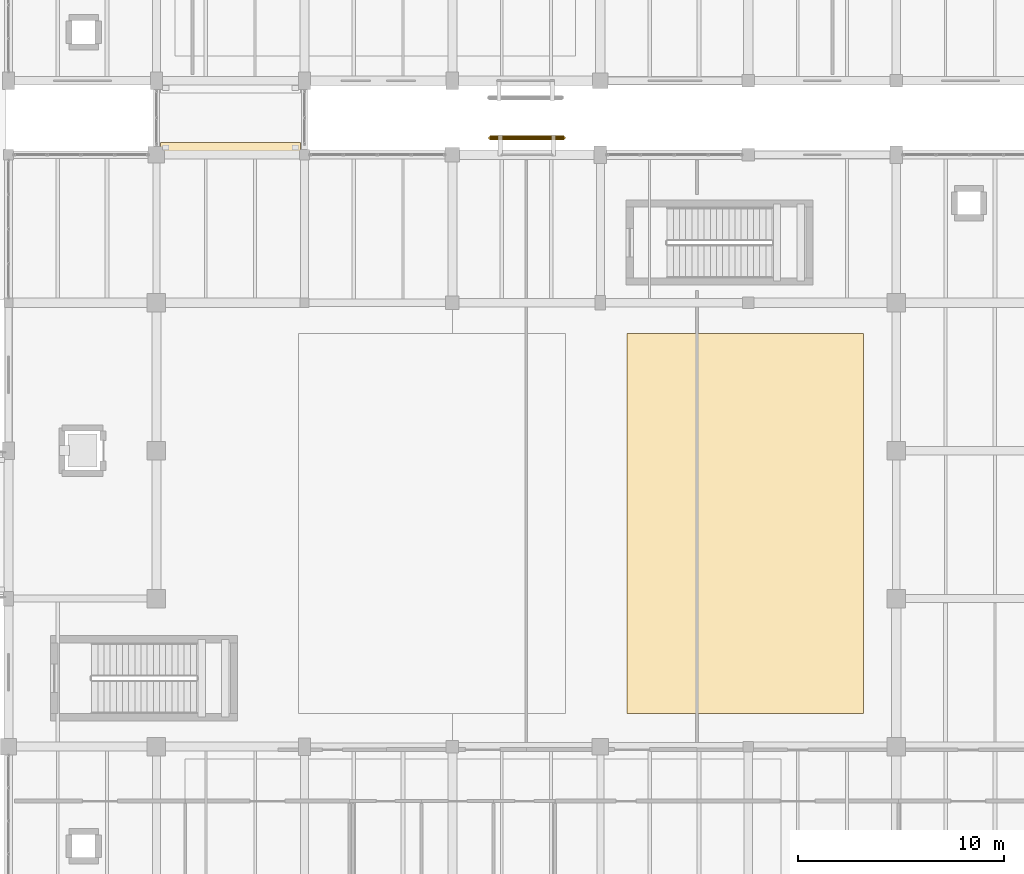
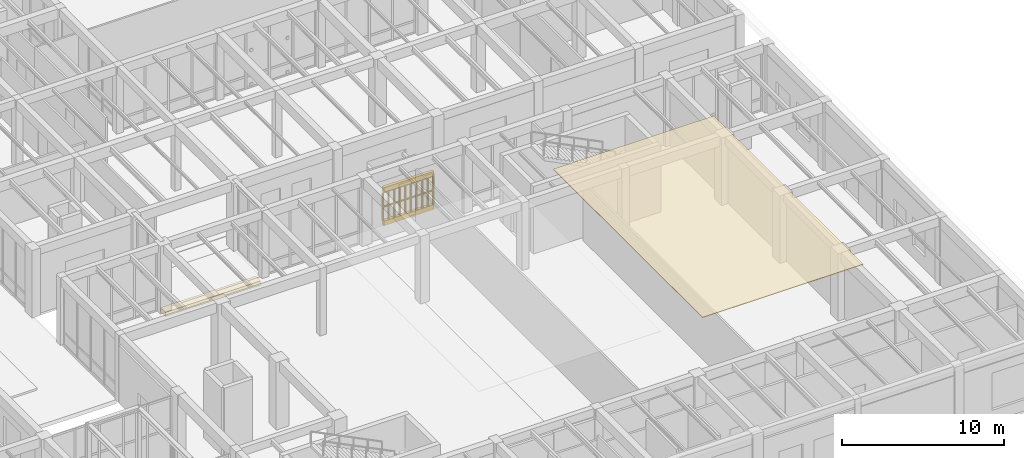
# One storey, part 161 of 169: 4 coverings, 2 railings.
"""IFC4 building model written with IfcOpenShell, lengths in metres."""

from ifc_helpers import new_model, si_unit, direction, frame, origin, origin_2d, place, context, subcontext, project, spatial, polyline, circle, outline, extrude, material, layer, layer_set, type_object, element, save


model = new_model("IFC4")

# Units and contexts
model_context = context("Model", 3, precision=1e-05, world=origin(), true_north=direction((0.0, 1.0)))
body_context = subcontext(model_context, "Body", "Model", "MODEL_VIEW")
ifc_project = project(units=[si_unit("LENGTHUNIT", "METRE"), si_unit("AREAUNIT", "SQUARE_METRE"), si_unit("VOLUMEUNIT", "CUBIC_METRE"), si_unit("PLANEANGLEUNIT", "RADIAN"), si_unit("MASSUNIT", "GRAM", prefix="KILO")], contexts=[model_context])

# Site, building, storey
site_placement = place(None, origin())
site = spatial("IfcSite", under=ifc_project, at=site_placement, CompositionType="ELEMENT")
building_placement = place(site_placement, origin())
building = spatial("IfcBuilding", under=site, at=building_placement, Name="Mazaris Harbour Polytechnic", CompositionType="ELEMENT")
storey_placement = place(building_placement, origin())
storey = spatial("IfcBuildingStorey", under=building, at=storey_placement, Name="L00", CompositionType="ELEMENT", Elevation=0.0)

# Coverings
ifc_material_1 = material(Name="Glulam Acoustic Timber Slat", Category="wood")
ifc_layer_1 = layer(ifc_material_1, 0.0400390625, Name="Glulam Acoustic Timber Slat")
ifc_layer_set_1 = layer_set([ifc_layer_1], Name="Glulam Acoustic Timber Slat")
covering_type_1 = type_object("IfcCoveringType", Name="Acoustic Perforated Timber Ceiling 40", PredefinedType="CEILING", material=ifc_layer_set_1)
covering_1_placement = place(storey_placement, frame((0.0, 0.0, 7.800048828125)))
element("IfcCovering", 1, at=covering_1_placement, inside=storey, type_object=covering_type_1, Name="Covering COV-CE-02", PredefinedType="CEILING", context=body_context, shape_type="SweptSolid", body=[
    extrude(outline(polyline([(152.5, 16.0), (164.0, 16.0), (164.0, 34.5), (152.5, 34.5), (152.5, 16.0)])), origin(), (0.0, 0.0, 1.0), 0.0400390625),
])
ifc_material_2 = material(Name="Concrete C40/50", Category="concrete")
ifc_layer_2 = layer(ifc_material_2, 0.320068359375, Name="Concrete C40/50")
ifc_layer_set_2 = layer_set([ifc_layer_2], Name="Concrete C40/50")
covering_type_2 = type_object("IfcCoveringType", Name="Bridge Bearing Corbel 600 Exterior", PredefinedType="CLADDING", material=ifc_layer_set_2)
covering_2_placement = place(storey_placement, frame((0.0, 0.0, -0.64990234375)))
element("IfcCovering", 2, at=covering_2_placement, inside=storey, type_object=covering_type_2, Name="PB-NE L00 600mm Bridge Bearing Seat Corbel S", PredefinedType="CLADDING", context=body_context, shape_type="SweptSolid", body=[
    extrude(outline(polyline([(129.800048828125, 43.199951171875), (136.60009765625, 43.199951171875), (136.60009765625, 43.800048828125), (129.800048828125, 43.800048828125), (129.800048828125, 43.199951171875)])), origin(), (0.0, 0.0, 1.0), 0.31982421875),
])

# Railings
ifc_material_3 = material(Name="Perforated Earth-Coloured Terracotta Block", Category="masonry")
railing_type = type_object("IfcRailingType", Name="Perforated Earth-Block Claustra Lattice 1040", PredefinedType="BALUSTRADE", material=ifc_material_3)
for number, where, name in (
    (3, (145.824951171875, 44.02001953125, 0.52001953125), "V2 L00 Lower Perforated Terracotta Block Screen 44"),
    (4, (145.824951171875, 44.02001953125, 1.610107421875), "V2 L00 Upper Perforated Terracotta Block Screen 44"),
):
    element("IfcRailing", number, at=place(storey_placement, frame(where)), inside=storey, type_object=railing_type, Name=name, PredefinedType="BALUSTRADE", context=body_context, shape_type="SweptSolid", body=[
        extrude(circle(Radius=0.06982421875, at=origin_2d()), frame((0.0, 0.0, 1.02001953125), z_axis=(1.0, 0.0, 0.0), x_axis=(0.0, 1.0, 0.0)), (0.0, 0.0, 1.0), 3.60009765625),
        extrude(circle(Radius=0.074951171875, at=origin_2d()), origin(), (0.0, 0.0, 1.0), 0.9501953125),
        extrude(circle(Radius=0.074951171875, at=origin_2d()), frame((0.39990234375, 0.0, 0.0)), (0.0, 0.0, 1.0), 0.9501953125),
        extrude(circle(Radius=0.074951171875, at=origin_2d()), frame((0.800048828125, 0.0, 0.0)), (0.0, 0.0, 1.0), 0.9501953125),
        extrude(circle(Radius=0.074951171875, at=origin_2d()), frame((1.199951171875, 0.0, 0.0)), (0.0, 0.0, 1.0), 0.9501953125),
        extrude(circle(Radius=0.074951171875, at=origin_2d()), frame((1.60009765625, 0.0, 0.0)), (0.0, 0.0, 1.0), 0.9501953125),
        extrude(circle(Radius=0.074951171875, at=origin_2d()), frame((2.0, 0.0, 0.0)), (0.0, 0.0, 1.0), 0.9501953125),
        extrude(circle(Radius=0.074951171875, at=origin_2d()), frame((2.400146484375, 0.0, 0.0)), (0.0, 0.0, 1.0), 0.9501953125),
        extrude(circle(Radius=0.074951171875, at=origin_2d()), frame((2.800048828125, 0.0, 0.0)), (0.0, 0.0, 1.0), 0.9501953125),
        extrude(circle(Radius=0.074951171875, at=origin_2d()), frame((3.2001953125, 0.0, 0.0)), (0.0, 0.0, 1.0), 0.9501953125),
        extrude(circle(Radius=0.074951171875, at=origin_2d()), frame((3.60009765625, 0.0, 0.0)), (0.0, 0.0, 1.0), 0.9501953125),
    ])

# Coverings
ifc_material_4 = material(Name="Perforated Earth-Coloured Terracotta Block", Category="masonry")
ifc_layer_3 = layer(ifc_material_4, 0.219970703125, Name="Perforated Earth-Coloured Terracotta Block")
ifc_layer_set_3 = layer_set([ifc_layer_3], Name="Perforated Earth-Coloured Terracotta Block")
covering_type_3 = type_object("IfcCoveringType", Name="Terracotta Screen Course Cladding 220", PredefinedType="CLADDING", material=ifc_layer_set_3)
covering_3_placement = place(storey_placement, frame((0.0, 0.0, 0.159912109375)))
element("IfcCovering", 5, at=covering_3_placement, inside=storey, type_object=covering_type_3, Name="V2 L00 Perforated Screen Sill Course 44", PredefinedType="CLADDING", context=body_context, shape_type="SweptSolid", body=[
    extrude(outline(polyline([(145.824951171875, 43.909912109375), (149.425048828125, 43.909912109375), (149.425048828125, 44.1298828125), (145.824951171875, 44.1298828125), (145.824951171875, 43.909912109375)])), origin(), (0.0, 0.0, 1.0), 0.360107421875),
])
covering_4_placement = place(storey_placement, frame((0.0, 0.0, 2.699951171875)))
element("IfcCovering", 6, at=covering_4_placement, inside=storey, type_object=covering_type_3, Name="V2 L00 Perforated Screen Lintel Course 44", PredefinedType="CLADDING", context=body_context, shape_type="SweptSolid", body=[
    extrude(outline(polyline([(145.824951171875, 43.909912109375), (149.425048828125, 43.909912109375), (149.425048828125, 44.1298828125), (145.824951171875, 44.1298828125), (145.824951171875, 43.909912109375)])), origin(), (0.0, 0.0, 1.0), 0.340087890625),
])

save(model, "model.ifc")
